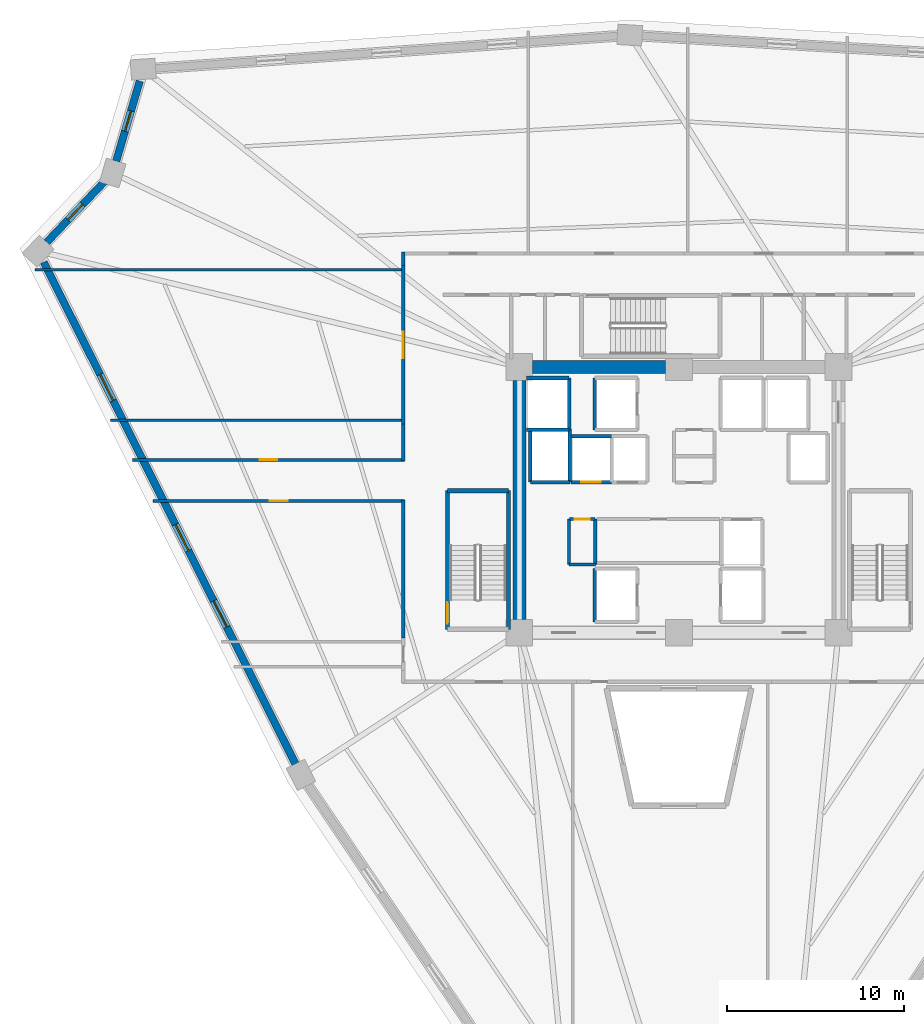
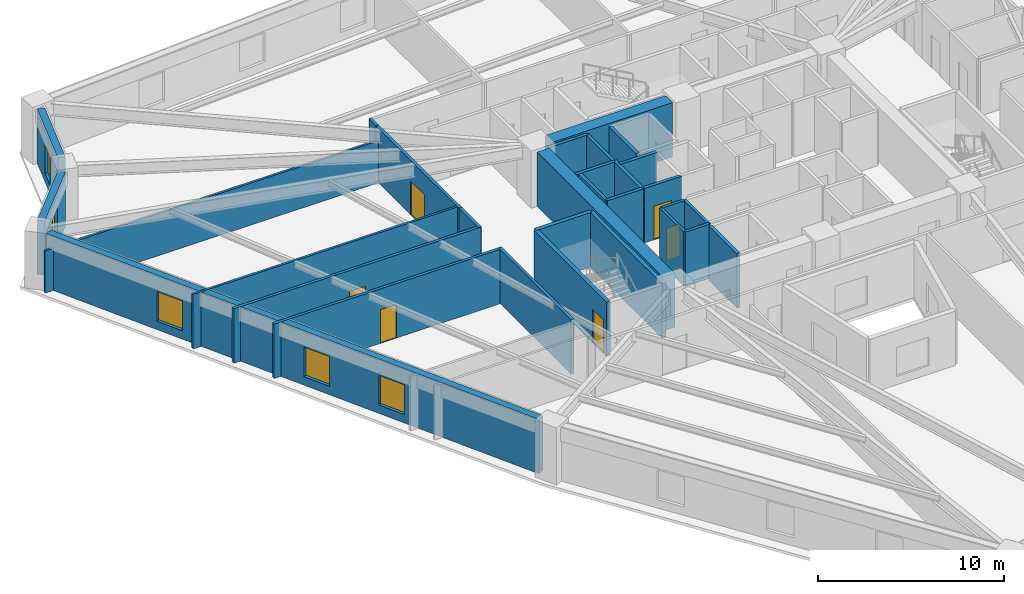
# One storey, part 4 of 9: 30 walls, 6 doors, 5 windows, 11 openings.
"""IFC4 building model written with IfcOpenShell, lengths in metres."""

from ifc_helpers import new_model, si_unit, direction, frame, frame_2d, origin, place, context, subcontext, project, spatial, rectangle, extrude, source, transform, mapped, material, layer, layer_set, type_object, element, fill, save


model = new_model("IFC4")

# Units and contexts
model_context = context("Model", 3, precision=1e-05, world=origin(), true_north=direction((0.0, 1.0)))
body_context = subcontext(model_context, "Body", "Model", "MODEL_VIEW")
ifc_project = project(units=[si_unit("LENGTHUNIT", "METRE"), si_unit("AREAUNIT", "SQUARE_METRE"), si_unit("VOLUMEUNIT", "CUBIC_METRE"), si_unit("PLANEANGLEUNIT", "RADIAN"), si_unit("MASSUNIT", "GRAM", prefix="KILO")], contexts=[model_context])

# Site, building, storey
site_placement = place(None, origin())
site = spatial("IfcSite", under=ifc_project, at=site_placement, CompositionType="ELEMENT")
building_placement = place(site_placement, origin())
building = spatial("IfcBuilding", under=site, at=building_placement, Name="Liaohun Quay Tower", CompositionType="ELEMENT")
storey_placement = place(building_placement, frame((0.0, 0.0, 128.25)))
storey = spatial("IfcBuildingStorey", under=building, at=storey_placement, Name="L33", CompositionType="ELEMENT", Elevation=128.25)

# Walls
ifc_material_1 = material(Name="Concrete C60", Category="concrete")
ifc_layer_1 = layer(ifc_material_1, 0.75, Name="Concrete C60", Category="concrete")
ifc_layer_set_1 = layer_set([ifc_layer_1], Name="Concrete C60")
wall_type_1 = type_object("IfcWallType", Name="WAL-COR-Z2", PredefinedType="SHEAR", material=ifc_layer_set_1)
wall_1_placement = place(storey_placement, frame((51.75, 61.5, 0.0), z_axis=(0.0, 0.0, 1.0), x_axis=(1.0, 0.0, 0.0)))
element("IfcWall", 1, at=wall_1_placement, inside=storey, type_object=wall_type_1, Name="L33 Central Core Shear Wall N-W", PredefinedType="SHEAR", context=body_context, shape_type="SweptSolid", body=[
    extrude(rectangle(XDim=7.5, YDim=0.75, at=frame_2d((3.75, 0.0))), origin(), (0.0, 0.0, 1.0), 3.570068359375),
])
wall_2_placement = place(storey_placement, frame((51.0, 47.25, 0.0), z_axis=(0.0, 0.0, 1.0), x_axis=(0.0, 1.0, 0.0)))
element("IfcWall", 2, at=wall_2_placement, inside=storey, type_object=wall_type_1, Name="L33 Central Core Shear Wall W", PredefinedType="SHEAR", context=body_context, shape_type="SweptSolid", body=[
    extrude(rectangle(XDim=13.5, YDim=0.75, at=frame_2d((6.75, 0.0))), origin(), (0.0, 0.0, 1.0), 3.570068359375),
])

# Wall, opening, window
ifc_material_2 = material(Name="Precast concrete C50 insulated sandwich", Category="concrete")
ifc_layer_2 = layer(ifc_material_2, 0.419921875, Name="Precast concrete C50 insulated sandwich", Category="concrete")
ifc_layer_set_2 = layer_set([ifc_layer_2], Name="Precast concrete C50 insulated sandwich")
wall_type_2 = type_object("IfcWallType", Name="WAL-EXT-Z12", PredefinedType="SOLIDWALL", material=ifc_layer_set_2)
wall_3_placement = place(storey_placement, frame((29.580078125, 77.636962890625, 0.0), z_axis=(0.0, 0.0, 1.0), x_axis=(-0.282785049885, -0.959183306549, 0.0)))
wall_3 = element("IfcWall", 3, at=wall_3_placement, inside=storey, type_object=wall_type_2, Name="L33 Brutalist Precast Pier Wall 08", PredefinedType="SOLIDWALL", context=body_context, shape_type="SweptSolid", body=[
    extrude(rectangle(XDim=4.720703125, YDim=0.419921875, at=frame_2d((2.3603515625, 0.0))), origin(), (0.0, 0.0, 1.0), 3.570068359375),
])
shared_shape_1 = source(origin(), body_context, "Body", "SweptSolid", [
    extrude(rectangle(XDim=1.199951171875, YDim=1.89990234375, at=frame_2d((0.60009765625, 0.949951171875))), frame((0.0, 0.219970703125, 0.0), z_axis=(0.0, -1.0, 0.0), x_axis=(1.0, 0.0, 0.0)), (0.0, 0.0, 1.0), 0.43994140625),
])
opening_1_placement = place(wall_3_placement, frame((1.760009765625, 0.0, 0.550048828125)))
opening_1 = element("IfcOpeningElement", 4, at=opening_1_placement, cuts=wall_3, Name="Opening W05", PredefinedType="OPENING", context=body_context, shape_type="MappedRepresentation", body=[
    mapped(shared_shape_1, transform((0.0, 0.0, 0.0), x_axis=(1.0, 0.0, 0.0), y_axis=(0.0, 1.0, 0.0), z_axis=(0.0, 0.0, 1.0), scale=1.0)),
])
ifc_material_3 = material(Name="Triple Low-E corner notch glazing", Category="glass")
window_type_1 = type_object("IfcWindowType", Name="WIN-NOTCH", PartitioningType="SINGLE_PANEL", PredefinedType="WINDOW", material=ifc_material_3)
shared_shape_2 = source(origin(), body_context, "Body", "SweptSolid", [
    extrude(rectangle(XDim=1.199951171875, YDim=1.89990234375, at=frame_2d((0.60009765625, 0.949951171875))), frame((0.0, 0.030029296875, 0.0), z_axis=(0.0, -1.0, 0.0), x_axis=(1.0, 0.0, 0.0)), (0.0, 0.0, 1.0), 0.06005859375),
])
window_1_placement = place(opening_1_placement, origin())
window_1 = element("IfcWindow", 5, at=window_1_placement, inside=storey, type_object=window_type_1, Name="L33 Corner Notch Window W05-08", OverallHeight=1.89990234375, OverallWidth=1.199951171875, PartitioningType="SINGLE_PANEL", PredefinedType="WINDOW", context=body_context, shape_type="MappedRepresentation", body=[
    mapped(shared_shape_2, transform((0.0, 0.0, 0.0), x_axis=(1.0, 0.0, 0.0), y_axis=(0.0, 1.0, 0.0), z_axis=(0.0, 0.0, 1.0), scale=1.0)),
])
fill(opening_1, window_1)

wall_4_placement = place(storey_placement, frame((27.573974609375, 71.947021484375, 0.0), z_axis=(0.0, 0.0, 1.0), x_axis=(-0.689277430431, -0.72449749751, 0.0)))
wall_4 = element("IfcWall", 6, at=wall_4_placement, inside=storey, type_object=wall_type_2, Name="L33 Brutalist Precast Pier Wall 09", PredefinedType="SOLIDWALL", context=body_context, shape_type="SweptSolid", body=[
    extrude(rectangle(XDim=4.713623046875, YDim=0.419921875, at=frame_2d((2.35693359375, 0.0))), origin(), (0.0, 0.0, 1.0), 3.570068359375),
])
opening_2_placement = place(wall_4_placement, frame((1.757080078125, 0.0, 0.550048828125)))
opening_2 = element("IfcOpeningElement", 7, at=opening_2_placement, cuts=wall_4, Name="Opening W05", PredefinedType="OPENING", context=body_context, shape_type="MappedRepresentation", body=[
    mapped(shared_shape_1, transform((0.0, 0.0, 0.0), x_axis=(1.0, 0.0, 0.0), y_axis=(0.0, 1.0, 0.0), z_axis=(0.0, 0.0, 1.0), scale=1.0)),
])
window_2_placement = place(opening_2_placement, origin())
window_2 = element("IfcWindow", 8, at=window_2_placement, inside=storey, type_object=window_type_1, Name="L33 Corner Notch Window W05-09", OverallHeight=1.89990234375, OverallWidth=1.199951171875, PartitioningType="SINGLE_PANEL", PredefinedType="WINDOW", context=body_context, shape_type="MappedRepresentation", body=[
    mapped(shared_shape_2, transform((0.0, 0.0, 0.0), x_axis=(1.0, 0.0, 0.0), y_axis=(0.0, 1.0, 0.0), z_axis=(0.0, 0.0, 1.0), scale=1.0)),
])
fill(opening_2, window_2)

# Wall, openings, windows
wall_5_placement = place(storey_placement, frame((24.157958984375, 67.4150390625, 0.0), z_axis=(0.0, 0.0, 1.0), x_axis=(0.448489429893, -0.893788135564, 0.0)))
wall_5 = element("IfcWall", 9, at=wall_5_placement, inside=storey, type_object=wall_type_2, Name="L33 Brutalist Precast Pier Wall 10", PredefinedType="SOLIDWALL", context=body_context, shape_type="SweptSolid", body=[
    extrude(rectangle(XDim=31.677490234375, YDim=0.419921875, at=frame_2d((15.8388671875, 0.0))), origin(), (0.0, 0.0, 1.0), 3.570068359375),
])
shared_shape_3 = source(origin(), body_context, "Body", "SweptSolid", [
    extrude(rectangle(XDim=1.64990234375, YDim=1.949951171875, at=frame_2d((0.824951171875, 0.97509765625))), frame((0.0, 0.219970703125, 0.0), z_axis=(0.0, -1.0, 0.0), x_axis=(1.0, 0.0, 0.0)), (0.0, 0.0, 1.0), 0.43994140625),
])
opening_3_placement = place(wall_5_placement, frame((7.093994140625, 0.0, 0.550048828125)))
opening_3 = element("IfcOpeningElement", 10, at=opening_3_placement, cuts=wall_5, Name="Opening W02", PredefinedType="OPENING", context=body_context, shape_type="MappedRepresentation", body=[
    mapped(shared_shape_3, transform((0.0, 0.0, 0.0), x_axis=(1.0, 0.0, 0.0), y_axis=(0.0, 1.0, 0.0), z_axis=(0.0, 0.0, 1.0), scale=1.0)),
])
opening_4_placement = place(wall_5_placement, frame((16.56396484375, 0.0, 0.550048828125)))
opening_4 = element("IfcOpeningElement", 11, at=opening_4_placement, cuts=wall_5, Name="Opening W02", PredefinedType="OPENING", context=body_context, shape_type="MappedRepresentation", body=[
    mapped(shared_shape_3, transform((0.0, 0.0, 0.0), x_axis=(1.0, 0.0, 0.0), y_axis=(0.0, 1.0, 0.0), z_axis=(0.0, 0.0, 1.0), scale=1.0)),
])
opening_5_placement = place(wall_5_placement, frame((21.383056640625, 0.0, 0.550048828125)))
opening_5 = element("IfcOpeningElement", 12, at=opening_5_placement, cuts=wall_5, Name="Opening W02", PredefinedType="OPENING", context=body_context, shape_type="MappedRepresentation", body=[
    mapped(shared_shape_3, transform((0.0, 0.0, 0.0), x_axis=(1.0, 0.0, 0.0), y_axis=(0.0, 1.0, 0.0), z_axis=(0.0, 0.0, 1.0), scale=1.0)),
])
ifc_material_4 = material(Name="Triple Low-E argon glazing in thermally broken aluminium", Category="aluminium")
window_type_2 = type_object("IfcWindowType", Name="WIN-PUN-Z2", PartitioningType="DOUBLE_PANEL_VERTICAL", PredefinedType="WINDOW", material=ifc_material_4)
shared_shape_4 = source(origin(), body_context, "Body", "SweptSolid", [
    extrude(rectangle(XDim=1.64990234375, YDim=1.949951171875, at=frame_2d((0.824951171875, 0.97509765625))), frame((0.0, 0.030029296875, 0.0), z_axis=(0.0, -1.0, 0.0), x_axis=(1.0, 0.0, 0.0)), (0.0, 0.0, 1.0), 0.06005859375),
])
window_3_placement = place(opening_3_placement, origin())
window_3 = element("IfcWindow", 13, at=window_3_placement, inside=storey, type_object=window_type_2, Name="L33 Recessed Cold-Climate Punched Window 10-1", OverallHeight=1.949951171875, OverallWidth=1.64990234375, PartitioningType="DOUBLE_PANEL_VERTICAL", PredefinedType="WINDOW", context=body_context, shape_type="MappedRepresentation", body=[
    mapped(shared_shape_4, transform((0.0, 0.0, 0.0), x_axis=(1.0, 0.0, 0.0), y_axis=(0.0, 1.0, 0.0), z_axis=(0.0, 0.0, 1.0), scale=1.0)),
])
fill(opening_3, window_3)
window_4_placement = place(opening_4_placement, origin())
window_4 = element("IfcWindow", 14, at=window_4_placement, inside=storey, type_object=window_type_2, Name="L33 Recessed Cold-Climate Punched Window 10-2", OverallHeight=1.949951171875, OverallWidth=1.64990234375, PartitioningType="DOUBLE_PANEL_VERTICAL", PredefinedType="WINDOW", context=body_context, shape_type="MappedRepresentation", body=[
    mapped(shared_shape_4, transform((0.0, 0.0, 0.0), x_axis=(1.0, 0.0, 0.0), y_axis=(0.0, 1.0, 0.0), z_axis=(0.0, 0.0, 1.0), scale=1.0)),
])
fill(opening_4, window_4)
window_5_placement = place(opening_5_placement, origin())
window_5 = element("IfcWindow", 15, at=window_5_placement, inside=storey, type_object=window_type_2, Name="L33 Recessed Cold-Climate Punched Window 10-3", OverallHeight=1.949951171875, OverallWidth=1.64990234375, PartitioningType="DOUBLE_PANEL_VERTICAL", PredefinedType="WINDOW", context=body_context, shape_type="MappedRepresentation", body=[
    mapped(shared_shape_4, transform((0.0, 0.0, 0.0), x_axis=(1.0, 0.0, 0.0), y_axis=(0.0, 1.0, 0.0), z_axis=(0.0, 0.0, 1.0), scale=1.0)),
])
fill(opening_5, window_5)

# Wall, opening, door
ifc_material_5 = material(Name="Autoclaved aerated concrete blockwork", Category="masonry")
ifc_layer_3 = layer(ifc_material_5, 0.179931640625, Name="Autoclaved aerated concrete blockwork", Category="masonry")
ifc_layer_set_3 = layer_set([ifc_layer_3], Name="Autoclaved aerated concrete blockwork")
wall_type_3 = type_object("IfcWallType", Name="WAL-PRT-COR", PredefinedType="PARTITIONING", material=ifc_layer_set_3)
wall_6_placement = place(storey_placement, frame((53.820068359375, 52.919921875, 0.0), z_axis=(0.0, 0.0, 1.0), x_axis=(1.0, 0.0, 0.0)))
wall_6 = element("IfcWall", 16, at=wall_6_placement, inside=storey, type_object=wall_type_3, Name="L33 Interior Partition Wall 004", PredefinedType="PARTITIONING", context=body_context, shape_type="SweptSolid", body=[
    extrude(rectangle(XDim=1.429931640625, YDim=0.179931640625, at=frame_2d((0.71484375, 0.0))), origin(), (0.0, 0.0, 1.0), 3.570068359375),
])
shared_shape_5 = source(origin(), body_context, "Body", "SweptSolid", [
    extrude(rectangle(XDim=0.85009765625, YDim=2.10009765625, at=frame_2d((0.425048828125, 1.050048828125))), frame((0.0, 0.099853515625, 0.0), z_axis=(0.0, -1.0, 0.0), x_axis=(1.0, 0.0, 0.0)), (0.0, 0.0, 1.0), 0.199951171875),
])
opening_6_placement = place(wall_6_placement, frame((0.2900390625, 0.0, 0.0)))
opening_6 = element("IfcOpeningElement", 17, at=opening_6_placement, cuts=wall_6, Name="Opening AD1", PredefinedType="OPENING", context=body_context, shape_type="MappedRepresentation", body=[
    mapped(shared_shape_5, transform((0.0, 0.0, 0.0), x_axis=(1.0, 0.0, 0.0), y_axis=(0.0, 1.0, 0.0), z_axis=(0.0, 0.0, 1.0), scale=1.0)),
])
ifc_material_6 = material(Name="Steel riser inspection fire door", Category="steel")
door_type_1 = type_object("IfcDoorType", Name="DOR-SHF-850", OperationType="NOTDEFINED", PredefinedType="DOOR", material=ifc_material_6)
shared_shape_6 = source(origin(), body_context, "Body", "SweptSolid", [
    extrude(rectangle(XDim=0.85009765625, YDim=2.10009765625, at=frame_2d((0.425048828125, 1.050048828125))), frame((0.0, 0.02490234375, 0.0), z_axis=(0.0, -1.0, 0.0), x_axis=(1.0, 0.0, 0.0)), (0.0, 0.0, 1.0), 0.050048828125),
])
door_1_placement = place(opening_6_placement, origin())
door_1 = element("IfcDoor", 18, at=door_1_placement, inside=storey, type_object=door_type_1, Name="L33 Core Fire Hose and Riser Closet Door", OperationType="SINGLE_SWING_RIGHT", OverallHeight=2.10009765625, OverallWidth=0.85009765625, PredefinedType="DOOR", context=body_context, shape_type="MappedRepresentation", body=[
    mapped(shared_shape_6, transform((0.0, 0.0, 0.0), x_axis=(1.0, 0.0, 0.0), y_axis=(0.0, 1.0, 0.0), z_axis=(0.0, 0.0, 1.0), scale=1.0)),
])
fill(opening_6, door_1)

wall_7_placement = place(storey_placement, frame((44.43994140625, 58.284912109375, 0.0), z_axis=(0.0, 0.0, 1.0), x_axis=(0.0, 1.0, 0.0)))
wall_7 = element("IfcWall", 19, at=wall_7_placement, inside=storey, type_object=wall_type_3, Name="L33 Interior Partition Wall 020", PredefinedType="PARTITIONING", context=body_context, shape_type="SweptSolid", body=[
    extrude(rectangle(XDim=8.93017578125, YDim=0.179931640625, at=frame_2d((4.465087890625, 0.0))), origin(), (0.0, 0.0, 1.0), 3.570068359375),
])
shared_shape_7 = source(origin(), body_context, "Body", "SweptSolid", [
    extrude(rectangle(XDim=1.5, YDim=2.199951171875, at=frame_2d((0.75, 1.10009765625))), frame((0.0, 0.099853515625, 0.0), z_axis=(0.0, -1.0, 0.0), x_axis=(1.0, 0.0, 0.0)), (0.0, 0.0, 1.0), 0.199951171875),
])
opening_7_placement = place(wall_7_placement, frame((3.715087890625, 0.0, 0.0)))
opening_7 = element("IfcOpeningElement", 20, at=opening_7_placement, cuts=wall_7, Name="Opening OD2", PredefinedType="OPENING", context=body_context, shape_type="MappedRepresentation", body=[
    mapped(shared_shape_7, transform((0.0, 0.0, 0.0), x_axis=(1.0, 0.0, 0.0), y_axis=(0.0, 1.0, 0.0), z_axis=(0.0, 0.0, 1.0), scale=1.0)),
])
ifc_material_7 = material(Name="Acoustic oak veneer double door")
door_type_2 = type_object("IfcDoorType", Name="DOR-OFF-1500", OperationType="DOUBLE_DOOR_SINGLE_SWING", PredefinedType="DOOR", material=ifc_material_7)
shared_shape_8 = source(origin(), body_context, "Body", "SweptSolid", [
    extrude(rectangle(XDim=1.5, YDim=2.199951171875, at=frame_2d((0.75, 1.10009765625))), frame((0.0, 0.02490234375, 0.0), z_axis=(0.0, -1.0, 0.0), x_axis=(1.0, 0.0, 0.0)), (0.0, 0.0, 1.0), 0.050048828125),
])
door_2_placement = place(opening_7_placement, origin())
door_2 = element("IfcDoor", 21, at=door_2_placement, inside=storey, type_object=door_type_2, Name="L33 Staff Tea Kitchen and Pantry 06 Door", OperationType="DOUBLE_DOOR_SINGLE_SWING", OverallHeight=2.199951171875, OverallWidth=1.5, PredefinedType="DOOR", context=body_context, shape_type="MappedRepresentation", body=[
    mapped(shared_shape_8, transform((0.0, 0.0, 0.0), x_axis=(1.0, 0.0, 0.0), y_axis=(0.0, 1.0, 0.0), z_axis=(0.0, 0.0, 1.0), scale=1.0)),
])
fill(opening_7, door_2)

wall_8_placement = place(storey_placement, frame((29.159912109375, 56.260009765625, 0.0), z_axis=(0.0, 0.0, 1.0), x_axis=(1.0, 0.0, 0.0)))
wall_8 = element("IfcWall", 22, at=wall_8_placement, inside=storey, type_object=wall_type_3, Name="L33 Interior Partition Wall 021", PredefinedType="PARTITIONING", context=body_context, shape_type="SweptSolid", body=[
    extrude(rectangle(XDim=15.35009765625, YDim=0.179931640625, at=frame_2d((7.675048828125, 0.0))), origin(), (0.0, 0.0, 1.0), 3.570068359375),
])
shared_shape_9 = source(origin(), body_context, "Body", "SweptSolid", [
    extrude(rectangle(XDim=1.0, YDim=2.199951171875, at=frame_2d((0.5, 1.10009765625))), frame((0.0, 0.099853515625, 0.0), z_axis=(0.0, -1.0, 0.0), x_axis=(1.0, 0.0, 0.0)), (0.0, 0.0, 1.0), 0.199951171875),
])
opening_8_placement = place(wall_8_placement, frame((7.175048828125, 0.0, 0.0)))
opening_8 = element("IfcOpeningElement", 23, at=opening_8_placement, cuts=wall_8, Name="Opening OD1", PredefinedType="OPENING", context=body_context, shape_type="MappedRepresentation", body=[
    mapped(shared_shape_9, transform((0.0, 0.0, 0.0), x_axis=(1.0, 0.0, 0.0), y_axis=(0.0, 1.0, 0.0), z_axis=(0.0, 0.0, 1.0), scale=1.0)),
])
ifc_material_8 = material(Name="Solid-core oak veneer timber leaf in steel frame", Category="steel")
door_type_3 = type_object("IfcDoorType", Name="DOR-OFF-1000", OperationType="NOTDEFINED", PredefinedType="DOOR", material=ifc_material_8)
shared_shape_10 = source(origin(), body_context, "Body", "SweptSolid", [
    extrude(rectangle(XDim=1.0, YDim=2.199951171875, at=frame_2d((0.5, 1.10009765625))), frame((0.0, 0.02490234375, 0.0), z_axis=(0.0, -1.0, 0.0), x_axis=(1.0, 0.0, 0.0)), (0.0, 0.0, 1.0), 0.050048828125),
])
door_3_placement = place(opening_8_placement, origin())
door_3 = element("IfcDoor", 24, at=door_3_placement, inside=storey, type_object=door_type_3, Name="L33 Technical Reference Library 07 Door", OperationType="SINGLE_SWING_LEFT", OverallHeight=2.199951171875, OverallWidth=1.0, PredefinedType="DOOR", context=body_context, shape_type="MappedRepresentation", body=[
    mapped(shared_shape_10, transform((0.0, 0.0, 0.0), x_axis=(1.0, 0.0, 0.0), y_axis=(0.0, 1.0, 0.0), z_axis=(0.0, 0.0, 1.0), scale=1.0)),
])
fill(opening_8, door_3)

wall_9_placement = place(storey_placement, frame((44.510009765625, 53.93994140625, 0.0), z_axis=(0.0, 0.0, 1.0), x_axis=(-1.0, 0.0, 0.0)))
wall_9 = element("IfcWall", 25, at=wall_9_placement, inside=storey, type_object=wall_type_3, Name="L33 Interior Partition Wall 022", PredefinedType="PARTITIONING", context=body_context, shape_type="SweptSolid", body=[
    extrude(rectangle(XDim=14.18603515625, YDim=0.179931640625, at=frame_2d((7.093017578125, 0.0))), origin(), (0.0, 0.0, 1.0), 3.570068359375),
])
opening_9_placement = place(wall_9_placement, frame((6.593017578125, 0.0, 0.0)))
opening_9 = element("IfcOpeningElement", 26, at=opening_9_placement, cuts=wall_9, Name="Opening OD1", PredefinedType="OPENING", context=body_context, shape_type="MappedRepresentation", body=[
    mapped(shared_shape_9, transform((0.0, 0.0, 0.0), x_axis=(1.0, 0.0, 0.0), y_axis=(0.0, 1.0, 0.0), z_axis=(0.0, 0.0, 1.0), scale=1.0)),
])
door_4_placement = place(opening_9_placement, origin())
door_4 = element("IfcDoor", 27, at=door_4_placement, inside=storey, type_object=door_type_3, Name="L33 Digital Prototyping Laboratory 08 Door", OperationType="SINGLE_SWING_RIGHT", OverallHeight=2.199951171875, OverallWidth=1.0, PredefinedType="DOOR", context=body_context, shape_type="MappedRepresentation", body=[
    mapped(shared_shape_10, transform((0.0, 0.0, 0.0), x_axis=(1.0, 0.0, 0.0), y_axis=(0.0, 1.0, 0.0), z_axis=(0.0, 0.0, 1.0), scale=1.0)),
])
fill(opening_9, door_4)

# Walls
wall_10_placement = place(storey_placement, frame((53.7900390625, 50.35009765625, 0.0), z_axis=(0.0, 0.0, 1.0), x_axis=(0.0, 1.0, 0.0)))
element("IfcWall", 28, at=wall_10_placement, inside=storey, type_object=wall_type_3, Name="L33 Interior Partition Wall 031", PredefinedType="PARTITIONING", context=body_context, shape_type="SweptSolid", body=[
    extrude(rectangle(XDim=2.56982421875, YDim=0.179931640625, at=frame_2d((1.284912109375, 0.0))), origin(), (0.0, 0.0, 1.0), 3.570068359375),
])
wall_11_placement = place(storey_placement, frame((53.7900390625, 50.35009765625, 0.0), z_axis=(0.0, 0.0, 1.0), x_axis=(1.0, 0.0, 0.0)))
element("IfcWall", 29, at=wall_11_placement, inside=storey, type_object=wall_type_3, Name="L33 Interior Partition Wall 032", PredefinedType="PARTITIONING", context=body_context, shape_type="SweptSolid", body=[
    extrude(rectangle(XDim=1.489990234375, YDim=0.179931640625, at=frame_2d((0.7451171875, 0.0))), origin(), (0.0, 0.0, 1.0), 3.570068359375),
])
wall_12_placement = place(storey_placement, frame((55.280029296875, 50.35009765625, 0.0), z_axis=(0.0, 0.0, 1.0), x_axis=(0.0, 1.0, 0.0)))
element("IfcWall", 30, at=wall_12_placement, inside=storey, type_object=wall_type_3, Name="L33 Interior Partition Wall 033", PredefinedType="PARTITIONING", context=body_context, shape_type="SweptSolid", body=[
    extrude(rectangle(XDim=2.56982421875, YDim=0.179931640625, at=frame_2d((1.284912109375, 0.0))), origin(), (0.0, 0.0, 1.0), 3.570068359375),
])
wall_13_placement = place(storey_placement, frame((44.43994140625, 67.215087890625, 0.0), z_axis=(0.0, 0.0, 1.0), x_axis=(0.0, 1.0, 0.0)))
element("IfcWall", 31, at=wall_13_placement, inside=storey, type_object=wall_type_3, Name="L33 Interior Partition Wall 046", PredefinedType="PARTITIONING", context=body_context, shape_type="SweptSolid", body=[
    extrude(rectangle(XDim=0.764892578125, YDim=0.179931640625, at=frame_2d((0.38232421875, 0.0))), origin(), (0.0, 0.0, 1.0), 3.570068359375),
])
wall_14_placement = place(storey_placement, frame((44.43994140625, 56.18994140625, 0.0), z_axis=(0.0, 0.0, 1.0), x_axis=(0.0, 1.0, 0.0)))
element("IfcWall", 32, at=wall_14_placement, inside=storey, type_object=wall_type_3, Name="L33 Interior Partition Wall 047", PredefinedType="PARTITIONING", context=body_context, shape_type="SweptSolid", body=[
    extrude(rectangle(XDim=2.094970703125, YDim=0.179931640625, at=frame_2d((1.04736328125, 0.0))), origin(), (0.0, 0.0, 1.0), 3.570068359375),
])
wall_15_placement = place(storey_placement, frame((44.43994140625, 46.215087890625, 0.0), z_axis=(0.0, 0.0, 1.0), x_axis=(0.0, 1.0, 0.0)))
element("IfcWall", 33, at=wall_15_placement, inside=storey, type_object=wall_type_3, Name="L33 Interior Partition Wall 048", PredefinedType="PARTITIONING", context=body_context, shape_type="SweptSolid", body=[
    extrude(rectangle(XDim=7.794921875, YDim=0.179931640625, at=frame_2d((3.8974609375, 0.0))), origin(), (0.0, 0.0, 1.0), 3.570068359375),
])
ifc_material_9 = material(Name="Gypsum board on twin steel studs", Category="steel")
ifc_layer_4 = layer(ifc_material_9, 0.139892578125, Name="Gypsum board on twin steel studs", Category="steel")
ifc_layer_set_4 = layer_set([ifc_layer_4], Name="Gypsum board on twin steel studs")
wall_type_4 = type_object("IfcWallType", Name="WAL-PRT-OFF", PredefinedType="PARTITIONING", material=ifc_layer_set_4)
wall_16_placement = place(storey_placement, frame((44.5400390625, 58.5, 0.0), z_axis=(0.0, 0.0, 1.0), x_axis=(-1.0, 0.0, 0.0)))
element("IfcWall", 34, at=wall_16_placement, inside=storey, type_object=wall_type_4, Name="L33 Interior Partition Wall 054", PredefinedType="PARTITIONING", context=body_context, shape_type="SweptSolid", body=[
    extrude(rectangle(XDim=16.613037109375, YDim=0.139892578125, at=frame_2d((8.306640625, 0.0))), origin(), (0.0, 0.0, 1.0), 3.570068359375),
])
wall_17_placement = place(storey_placement, frame((44.5400390625, 67.0, 0.0), z_axis=(0.0, 0.0, 1.0), x_axis=(-1.0, 0.0, 0.0)))
element("IfcWall", 35, at=wall_17_placement, inside=storey, type_object=wall_type_4, Name="L33 Interior Partition Wall 055", PredefinedType="PARTITIONING", context=body_context, shape_type="SweptSolid", body=[
    extrude(rectangle(XDim=20.8779296875, YDim=0.139892578125, at=frame_2d((10.43896484375, 0.0))), origin(), (0.0, 0.0, 1.0), 2.7548828125),
])
ifc_material_10 = material(Name="Concrete C50", Category="concrete")
ifc_layer_5 = layer(ifc_material_10, 0.239990234375, Name="Concrete C50", Category="concrete")
ifc_layer_set_5 = layer_set([ifc_layer_5], Name="Concrete C50")
wall_type_5 = type_object("IfcWallType", Name="WAL-SHF-200", PredefinedType="SOLIDWALL", material=ifc_layer_set_5)
wall_18_placement = place(storey_placement, frame((50.3798828125, 46.699951171875, 0.0), z_axis=(0.0, 0.0, 1.0), x_axis=(0.0, 1.0, 0.0)))
element("IfcWall", 36, at=wall_18_placement, inside=storey, type_object=wall_type_5, Name="L33 Stairwell ST-1 Structural Core Wall E", PredefinedType="SOLIDWALL", context=body_context, shape_type="SweptSolid", body=[
    extrude(rectangle(XDim=7.820068359375, YDim=0.239990234375, at=frame_2d((3.91015625, 0.0))), origin(), (0.0, 0.0, 1.0), 3.570068359375),
])
wall_19_placement = place(storey_placement, frame((50.3798828125, 54.52001953125, 0.0), z_axis=(0.0, 0.0, 1.0), x_axis=(-1.0, 0.0, 0.0)))
element("IfcWall", 37, at=wall_19_placement, inside=storey, type_object=wall_type_5, Name="L33 Stairwell ST-1 Structural Core Wall N", PredefinedType="SOLIDWALL", context=body_context, shape_type="SweptSolid", body=[
    extrude(rectangle(XDim=3.43994140625, YDim=0.239990234375, at=frame_2d((1.719970703125, 0.0))), origin(), (0.0, 0.0, 1.0), 3.570068359375),
])

# Wall, opening, door
wall_20_placement = place(storey_placement, frame((46.93994140625, 54.52001953125, 0.0), z_axis=(0.0, 0.0, 1.0), x_axis=(0.0, -1.0, 0.0)))
wall_20 = element("IfcWall", 38, at=wall_20_placement, inside=storey, type_object=wall_type_5, Name="L33 Stairwell ST-1 Structural Core Wall W", PredefinedType="SOLIDWALL", context=body_context, shape_type="SweptSolid", body=[
    extrude(rectangle(XDim=7.820068359375, YDim=0.239990234375, at=frame_2d((3.91015625, 0.0))), origin(), (0.0, 0.0, 1.0), 3.570068359375),
])
shared_shape_11 = source(origin(), body_context, "Body", "SweptSolid", [
    extrude(rectangle(XDim=1.199951171875, YDim=2.199951171875, at=frame_2d((0.60009765625, 1.10009765625))), frame((0.0, 0.1298828125, 0.0), z_axis=(0.0, -1.0, 0.0), x_axis=(1.0, 0.0, 0.0)), (0.0, 0.0, 1.0), 0.260009765625),
])
opening_10_placement = place(wall_20_placement, frame((6.300048828125, 0.0, 0.0)))
opening_10 = element("IfcOpeningElement", 39, at=opening_10_placement, cuts=wall_20, Name="Opening SD1", PredefinedType="OPENING", context=body_context, shape_type="MappedRepresentation", body=[
    mapped(shared_shape_11, transform((0.0, 0.0, 0.0), x_axis=(1.0, 0.0, 0.0), y_axis=(0.0, 1.0, 0.0), z_axis=(0.0, 0.0, 1.0), scale=1.0)),
])
ifc_material_11 = material(Name="Galvanised steel fire door", Category="steel")
door_type_4 = type_object("IfcDoorType", Name="DOR-STR-1200", OperationType="NOTDEFINED", PredefinedType="DOOR", material=ifc_material_11)
shared_shape_12 = source(origin(), body_context, "Body", "SweptSolid", [
    extrude(rectangle(XDim=1.199951171875, YDim=2.199951171875, at=frame_2d((0.60009765625, 1.10009765625))), frame((0.0, 0.02490234375, 0.0), z_axis=(0.0, -1.0, 0.0), x_axis=(1.0, 0.0, 0.0)), (0.0, 0.0, 1.0), 0.050048828125),
])
door_5_placement = place(opening_10_placement, origin())
door_5 = element("IfcDoor", 40, at=door_5_placement, inside=storey, type_object=door_type_4, Name="L33 Protected Stair ST-1 Fire Door", OperationType="SINGLE_SWING_LEFT", OverallHeight=2.199951171875, OverallWidth=1.199951171875, PredefinedType="DOOR", context=body_context, shape_type="MappedRepresentation", body=[
    mapped(shared_shape_12, transform((0.0, 0.0, 0.0), x_axis=(1.0, 0.0, 0.0), y_axis=(0.0, 1.0, 0.0), z_axis=(0.0, 0.0, 1.0), scale=1.0)),
])
fill(opening_10, door_5)

# Walls
wall_21_placement = place(storey_placement, frame((55.25, 50.1201171875, 0.0), z_axis=(0.0, 0.0, 1.0), x_axis=(0.0, -1.0, 0.0)))
element("IfcWall", 41, at=wall_21_placement, inside=storey, type_object=wall_type_5, Name="L33 Lift FF-01 Hoistway Wall W", PredefinedType="SOLIDWALL", context=body_context, shape_type="SweptSolid", body=[
    extrude(rectangle(XDim=3.0, YDim=0.199951171875, at=frame_2d((1.5, 0.0))), origin(), (0.0, 0.0, 1.0), 3.570068359375),
])
wall_22_placement = place(storey_placement, frame((55.25, 60.8798828125, 0.0), z_axis=(0.0, 0.0, 1.0), x_axis=(0.0, -1.0, 0.0)))
element("IfcWall", 42, at=wall_22_placement, inside=storey, type_object=wall_type_5, Name="L33 Lift FF-03 Hoistway Wall W", PredefinedType="SOLIDWALL", context=body_context, shape_type="SweptSolid", body=[
    extrude(rectangle(XDim=2.929931640625, YDim=0.199951171875, at=frame_2d((1.46484375, 0.0))), origin(), (0.0, 0.0, 1.0), 3.570068359375),
])
wall_23_placement = place(storey_placement, frame((51.39990234375, 57.949951171875, 0.0), z_axis=(0.0, 0.0, 1.0), x_axis=(1.0, 0.0, 0.0)))
element("IfcWall", 43, at=wall_23_placement, inside=storey, type_object=wall_type_5, Name="L33 Lift SH-01 Hoistway Wall S", PredefinedType="SOLIDWALL", context=body_context, shape_type="SweptSolid", body=[
    extrude(rectangle(XDim=2.400146484375, YDim=0.199951171875, at=frame_2d((1.2001953125, 0.0))), origin(), (0.0, 0.0, 1.0), 3.570068359375),
])
wall_24_placement = place(storey_placement, frame((53.800048828125, 57.949951171875, 0.0), z_axis=(0.0, 0.0, 1.0), x_axis=(0.0, 1.0, 0.0)))
element("IfcWall", 44, at=wall_24_placement, inside=storey, type_object=wall_type_5, Name="L33 Lift SH-01 Hoistway Wall E", PredefinedType="SOLIDWALL", context=body_context, shape_type="SweptSolid", body=[
    extrude(rectangle(XDim=2.929931640625, YDim=0.199951171875, at=frame_2d((1.46484375, 0.0))), origin(), (0.0, 0.0, 1.0), 3.570068359375),
])
wall_25_placement = place(storey_placement, frame((53.800048828125, 60.8798828125, 0.0), z_axis=(0.0, 0.0, 1.0), x_axis=(-1.0, 0.0, 0.0)))
element("IfcWall", 45, at=wall_25_placement, inside=storey, type_object=wall_type_5, Name="L33 Lift SH-01 Hoistway Wall N", PredefinedType="SOLIDWALL", context=body_context, shape_type="SweptSolid", body=[
    extrude(rectangle(XDim=2.400146484375, YDim=0.199951171875, at=frame_2d((1.2001953125, 0.0))), origin(), (0.0, 0.0, 1.0), 3.570068359375),
])
wall_26_placement = place(storey_placement, frame((51.6201171875, 55.0, 0.0), z_axis=(0.0, 0.0, 1.0), x_axis=(1.0, 0.0, 0.0)))
element("IfcWall", 46, at=wall_26_placement, inside=storey, type_object=wall_type_5, Name="L33 Lift SH-02 Hoistway Wall S", PredefinedType="SOLIDWALL", context=body_context, shape_type="SweptSolid", body=[
    extrude(rectangle(XDim=2.22998046875, YDim=0.199951171875, at=frame_2d((1.114990234375, 0.0))), origin(), (0.0, 0.0, 1.0), 3.570068359375),
])
for number, where, z_axis, x_axis, name in (
    (47, (53.85009765625, 55.0, 0.0), (0.0, 0.0, 1.0), (0.0, 1.0, 0.0), "L33 Lift SH-02 Hoistway Wall E"),
    (48, (51.6201171875, 58.0, 0.0), (0.0, 0.0, 1.0), (0.0, -1.0, 0.0), "L33 Lift SH-02 Hoistway Wall W"),
):
    element("IfcWall", number, at=place(storey_placement, frame(where, z_axis=z_axis, x_axis=x_axis)), inside=storey, type_object=wall_type_5, Name=name, PredefinedType="SOLIDWALL", context=body_context, shape_type="SweptSolid", body=[
        extrude(rectangle(XDim=3.0, YDim=0.199951171875, at=frame_2d((1.5, 0.0))), origin(), (0.0, 0.0, 1.0), 3.570068359375),
    ])

# Wall, opening, door
wall_27_placement = place(storey_placement, frame((53.89990234375, 55.0, 0.0), z_axis=(0.0, 0.0, 1.0), x_axis=(1.0, 0.0, 0.0)))
wall_27 = element("IfcWall", 49, at=wall_27_placement, inside=storey, type_object=wall_type_5, Name="L33 Lift PL-2B Hoistway Wall S", PredefinedType="SOLIDWALL", context=body_context, shape_type="SweptSolid", body=[
    extrude(rectangle(XDim=2.300048828125, YDim=0.199951171875, at=frame_2d((1.14990234375, 0.0))), origin(), (0.0, 0.0, 1.0), 3.570068359375),
])
shared_shape_13 = source(origin(), body_context, "Body", "SweptSolid", [
    extrude(rectangle(XDim=1.10009765625, YDim=2.199951171875, at=frame_2d((0.550048828125, 1.10009765625))), frame((0.0, 0.10986328125, 0.0), z_axis=(0.0, -1.0, 0.0), x_axis=(1.0, 0.0, 0.0)), (0.0, 0.0, 1.0), 0.219970703125),
])
opening_11_placement = place(wall_27_placement, frame((0.60009765625, 0.0, 0.0)))
opening_11 = element("IfcOpeningElement", 50, at=opening_11_placement, cuts=wall_27, Name="Opening LD1", PredefinedType="OPENING", context=body_context, shape_type="MappedRepresentation", body=[
    mapped(shared_shape_13, transform((0.0, 0.0, 0.0), x_axis=(1.0, 0.0, 0.0), y_axis=(0.0, 1.0, 0.0), z_axis=(0.0, 0.0, 1.0), scale=1.0)),
])
ifc_material_12 = material(Name="Brushed stainless steel landing door", Category="steel")
door_type_5 = type_object("IfcDoorType", Name="DOR-LFT-1100", OperationType="SLIDING_TO_LEFT", PredefinedType="DOOR", material=ifc_material_12)
shared_shape_14 = source(origin(), body_context, "Body", "SweptSolid", [
    extrude(rectangle(XDim=1.10009765625, YDim=2.199951171875, at=frame_2d((0.550048828125, 1.10009765625))), frame((0.0, 0.02490234375, 0.0), z_axis=(0.0, -1.0, 0.0), x_axis=(1.0, 0.0, 0.0)), (0.0, 0.0, 1.0), 0.050048828125),
])
door_6_placement = place(opening_11_placement, origin())
door_6 = element("IfcDoor", 51, at=door_6_placement, inside=storey, type_object=door_type_5, Name="L33 Lift PL-2B Sliding Landing Door", OperationType="SLIDING_TO_LEFT", OverallHeight=2.199951171875, OverallWidth=1.10009765625, PredefinedType="DOOR", context=body_context, shape_type="MappedRepresentation", body=[
    mapped(shared_shape_14, transform((0.0, 0.0, 0.0), x_axis=(1.0, 0.0, 0.0), y_axis=(0.0, 1.0, 0.0), z_axis=(0.0, 0.0, 1.0), scale=1.0)),
])
fill(opening_11, door_6)

# Wall
wall_28_placement = place(storey_placement, frame((56.199951171875, 57.60009765625, 0.0), z_axis=(0.0, 0.0, 1.0), x_axis=(-1.0, 0.0, 0.0)))
element("IfcWall", 52, at=wall_28_placement, inside=storey, type_object=wall_type_5, Name="L33 Lift PL-2B Hoistway Wall N", PredefinedType="SOLIDWALL", context=body_context, shape_type="SweptSolid", body=[
    extrude(rectangle(XDim=2.300048828125, YDim=0.199951171875, at=frame_2d((1.14990234375, 0.0))), origin(), (0.0, 0.0, 1.0), 3.570068359375),
])

save(model, "model.ifc")
